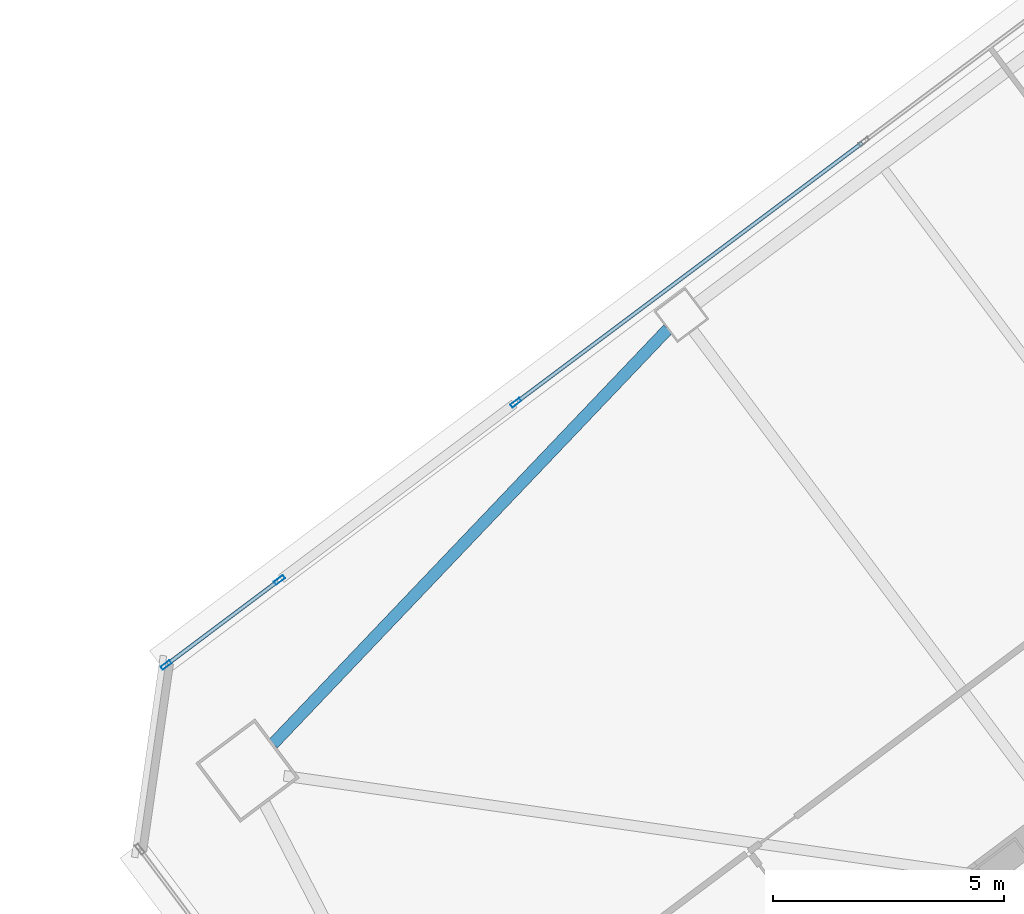
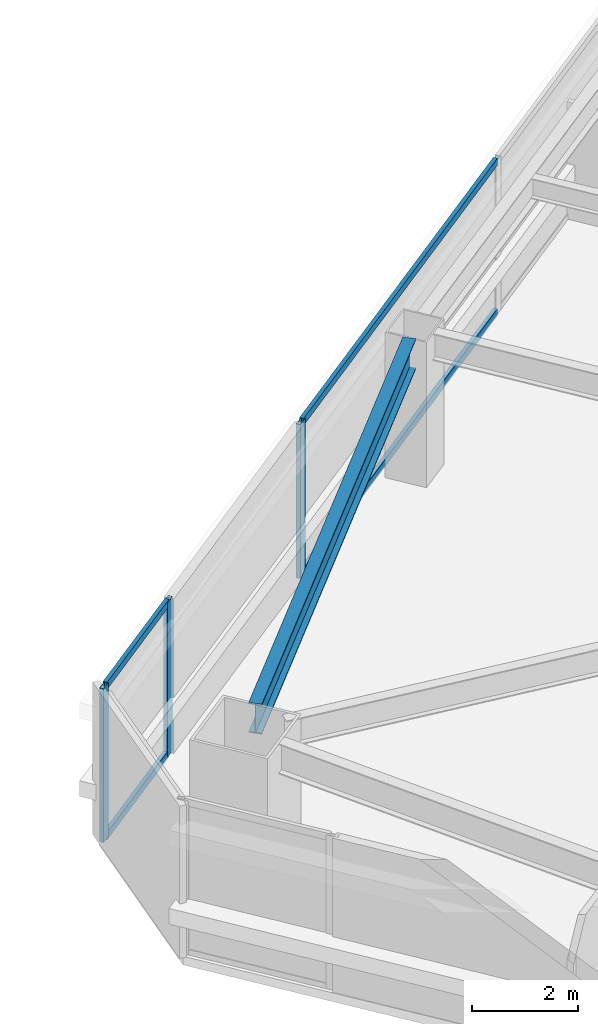
# One storey, part 30 of 51: 7 members, 1 beam, 2 elements without a shape of their own.
"""IFC4 building model written with IfcOpenShell, lengths in metres."""

from ifc_helpers import new_model, si_unit, direction, frame, origin, origin_2d, place, context, subcontext, project, spatial, hollow_rectangle, i_section, extrude, material, material_profile, profile_set, type_object, element, aggregate, save


model = new_model("IFC4")

# Units and contexts
model_context = context("Model", 3, precision=1e-05, world=origin(), true_north=direction((0.0, 1.0)))
body_context = subcontext(model_context, "Body", "Model", "MODEL_VIEW")
ifc_project = project(units=[si_unit("LENGTHUNIT", "METRE"), si_unit("AREAUNIT", "SQUARE_METRE"), si_unit("VOLUMEUNIT", "CUBIC_METRE"), si_unit("PLANEANGLEUNIT", "RADIAN"), si_unit("MASSUNIT", "GRAM", prefix="KILO")], contexts=[model_context])

# Site, building, storey
site_placement = place(None, origin())
site = spatial("IfcSite", under=ifc_project, at=site_placement, CompositionType="ELEMENT")
building_placement = place(site_placement, origin())
building = spatial("IfcBuilding", under=site, at=building_placement, Name="Tashvorn Skyway Center", CompositionType="ELEMENT")
storey_placement = place(building_placement, frame((0.0, 0.0, 49.449951171875)))
storey = spatial("IfcBuildingStorey", under=building, at=storey_placement, Name="L12", CompositionType="ELEMENT", Elevation=49.449951171875)

# Beam
ifc_material_1 = material(Name="Steel ASTM A992 Grade 50", Category="steel")
ifc_material_profile_1 = material_profile(ifc_material_1, i_section(OverallWidth=0.256103515625, OverallDepth=0.693115234375, WebThickness=0.014404296875, FlangeThickness=0.023681640625, at=origin_2d()), Name="W27X114")
ifc_profile_set_1 = profile_set([ifc_material_profile_1], Name="Steel ASTM A992 Grade 50")
beam_type = type_object("IfcBeamType", Name="BM-SPANDREL-W27X114", PredefinedType="SPANDREL", material=ifc_profile_set_1)
beam_placement = place(storey_placement, frame((96.76025390625, 45.2958984375, 3.003662109375), z_axis=(-0.689589637236, -0.724200339835, 0.0), x_axis=(0.724200339835, -0.689589637236, 0.0)))
element("IfcBeam", 1, at=beam_placement, inside=storey, type_object=beam_type, Name="Tower 2 L12 Spandrel Beam 09", PredefinedType="SPANDREL", context=body_context, shape_type="SweptSolid", body=[
    extrude(i_section(OverallWidth=0.256103515625, OverallDepth=0.693115234375, WebThickness=0.014404296875, FlangeThickness=0.023681640625, at=origin_2d()), origin(), (0.0, 0.0, 1.0), 12.37255859375),
])

# Curtain wall, members
ifc_material_2 = material(Name="Thermally broken bronze-anodized aluminium 6063-T6", Category="aluminium")
curtain_wall_type = type_object("IfcCurtainWallType", Name="CW-CW-Z1", PredefinedType="NOTDEFINED", material=ifc_material_2)
curtain_wall_1_placement = place(storey_placement, origin())
curtain_wall_1 = element("IfcCurtainWall", 2, at=curtain_wall_1_placement, inside=storey, type_object=curtain_wall_type, Name="Tower 2 L12 North Unitised Curtain Wall Glazing Group 1", PredefinedType="NOTDEFINED")
ifc_material_profile_2 = material_profile(ifc_material_2, hollow_rectangle(XDim=0.0849609375, YDim=0.239990234375, WallThickness=0.0048828125, at=origin_2d()), Name="ALU-MULL-85x240")
ifc_profile_set_2 = profile_set([ifc_material_profile_2], Name="Thermally broken bronze-anodized aluminium 6063-T6")
member_type_1 = type_object("IfcMemberType", Name="CWM-CW-Z1", PredefinedType="MULLION", material=ifc_profile_set_2)
member_1_placement = place(storey_placement, frame((85.922119140625, 38.04150390625, 0.0), z_axis=(0.0, 0.0, 1.0), x_axis=(-0.600005084776, 0.799996186392, 0.0)))
member_1 = element("IfcMember", 3, at=member_1_placement, type_object=member_type_1, Name="CW-Z1 mullion 1", PredefinedType="MULLION", context=body_context, shape_type="SweptSolid", body=[
    extrude(hollow_rectangle(XDim=0.0849609375, YDim=0.239990234375, WallThickness=0.0048828125, at=origin_2d()), origin(), (0.0, 0.0, 1.0), 3.550048828125),
])
member_2_placement = place(storey_placement, frame((88.371337890625, 39.87841796875, 0.0), z_axis=(0.0, 0.0, 1.0), x_axis=(-0.600005084776, 0.799996186392, 0.0)))
member_2 = element("IfcMember", 4, at=member_2_placement, type_object=member_type_1, Name="CW-Z1 mullion 2", PredefinedType="MULLION", context=body_context, shape_type="SweptSolid", body=[
    extrude(hollow_rectangle(XDim=0.0849609375, YDim=0.239990234375, WallThickness=0.0048828125, at=origin_2d()), origin(), (0.0, 0.0, 1.0), 3.550048828125),
])

# Curtain wall, member
curtain_wall_2_placement = place(storey_placement, origin())
curtain_wall_2 = element("IfcCurtainWall", 5, at=curtain_wall_2_placement, inside=storey, type_object=curtain_wall_type, Name="Tower 2 L12 North Unitised Curtain Wall Glazing Group 2", PredefinedType="NOTDEFINED")
member_3_placement = place(storey_placement, frame((93.47412109375, 43.70556640625, 0.0), z_axis=(0.0, 0.0, 1.0), x_axis=(-0.600000000002, 0.799999999998, 0.0)))
member_3 = element("IfcMember", 6, at=member_3_placement, type_object=member_type_1, Name="CW-Z1 mullion 1", PredefinedType="MULLION", context=body_context, shape_type="SweptSolid", body=[
    extrude(hollow_rectangle(XDim=0.0849609375, YDim=0.239990234375, WallThickness=0.0048828125, at=origin_2d()), origin(), (0.0, 0.0, 1.0), 3.550048828125),
])

# Member
ifc_material_profile_3 = material_profile(ifc_material_2, hollow_rectangle(XDim=0.0849609375, YDim=0.1650390625, WallThickness=0.0048828125, at=origin_2d()), Name="ALU-TRAN-85x165")
ifc_profile_set_3 = profile_set([ifc_material_profile_3], Name="Thermally broken bronze-anodized aluminium 6063-T6")
member_type_2 = type_object("IfcMemberType", Name="CWT-CW-Z1", PredefinedType="USERDEFINED", material=ifc_profile_set_3)
member_4_placement = place(storey_placement, frame((85.9560546875, 38.06689453125, 0.04248046875), z_axis=(0.799980315822, 0.600026244674, 0.0), x_axis=(-0.600026244674, 0.799980315822, 0.0)))
member_4 = element("IfcMember", 7, at=member_4_placement, type_object=member_type_2, Name="CW-Z1 transom 1.1", ObjectType="TRANSOM", PredefinedType="USERDEFINED", context=body_context, shape_type="SweptSolid", body=[
    extrude(hollow_rectangle(XDim=0.0849609375, YDim=0.1650390625, WallThickness=0.0048828125, at=origin_2d()), origin(), (0.0, 0.0, 1.0), 2.976806640625),
])

member_5_placement = place(storey_placement, frame((85.9560546875, 38.06689453125, 3.507568359375), z_axis=(0.799980315822, 0.600026244674, 0.0), x_axis=(-0.600026244674, 0.799980315822, 0.0)))
member_5 = element("IfcMember", 8, at=member_5_placement, type_object=member_type_2, Name="CW-Z1 transom 1.2", ObjectType="TRANSOM", PredefinedType="USERDEFINED", context=body_context, shape_type="SweptSolid", body=[
    extrude(hollow_rectangle(XDim=0.0849609375, YDim=0.1650390625, WallThickness=0.0048828125, at=origin_2d()), origin(), (0.0, 0.0, 1.0), 2.976806640625),
])

aggregate(curtain_wall_1, [member_1, member_2, member_4, member_5])

member_6_placement = place(storey_placement, frame((93.508056640625, 43.73095703125, 0.04248046875), z_axis=(0.799990562031, 0.600012583752, 0.0), x_axis=(-0.600012583752, 0.799990562031, 0.0)))
member_6 = element("IfcMember", 9, at=member_6_placement, type_object=member_type_2, Name="CW-Z1 transom 1.1", ObjectType="TRANSOM", PredefinedType="USERDEFINED", context=body_context, shape_type="SweptSolid", body=[
    extrude(hollow_rectangle(XDim=0.0849609375, YDim=0.1650390625, WallThickness=0.0048828125, at=origin_2d()), origin(), (0.0, 0.0, 1.0), 9.3125),
])

member_7_placement = place(storey_placement, frame((93.508056640625, 43.73095703125, 3.507568359375), z_axis=(0.799990562031, 0.600012583752, 0.0), x_axis=(-0.600012583752, 0.799990562031, 0.0)))
member_7 = element("IfcMember", 10, at=member_7_placement, type_object=member_type_2, Name="CW-Z1 transom 1.2", ObjectType="TRANSOM", PredefinedType="USERDEFINED", context=body_context, shape_type="SweptSolid", body=[
    extrude(hollow_rectangle(XDim=0.0849609375, YDim=0.1650390625, WallThickness=0.0048828125, at=origin_2d()), origin(), (0.0, 0.0, 1.0), 9.3125),
])

aggregate(curtain_wall_2, [member_3, member_6, member_7])

save(model, "model.ifc")
